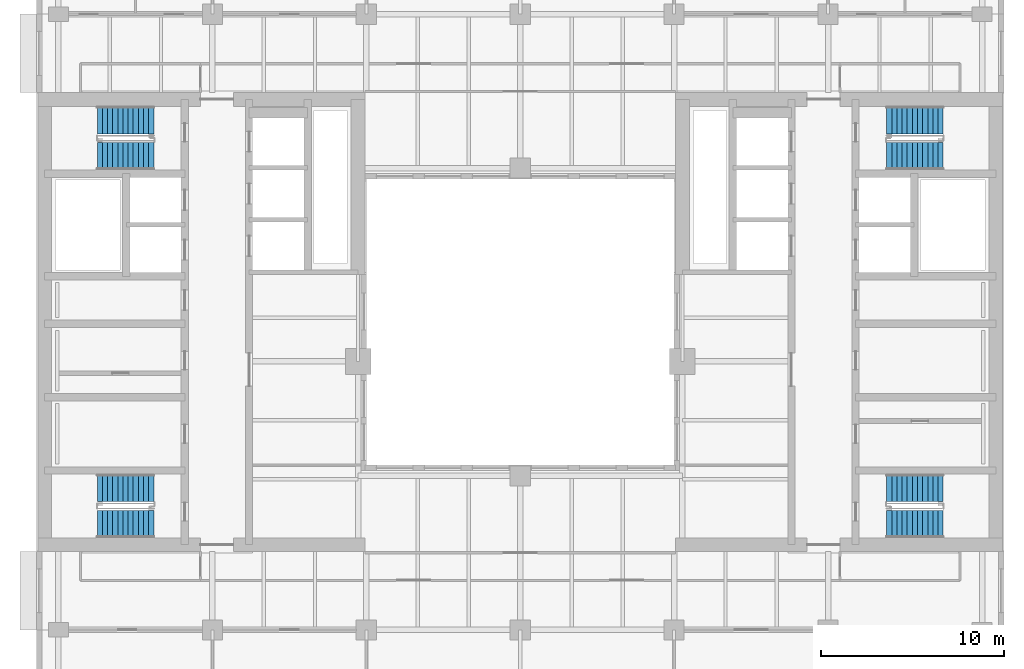
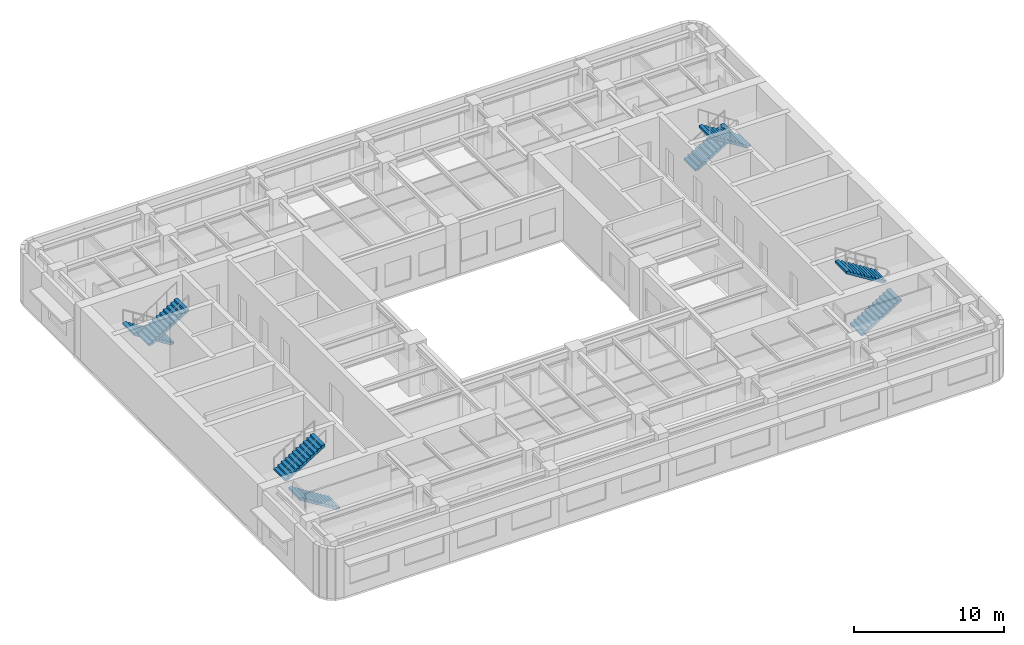
# One storey, part 8 of 11: 8 stair flights, 4 elements without a shape of their own.
"""IFC4 building model written with IfcOpenShell, lengths in metres."""

from ifc_helpers import new_model, si_unit, direction, frame, origin, place, context, subcontext, project, spatial, polyline, outline, extrude, material, type_object, element, aggregate, save


model = new_model("IFC4")

# Units and contexts
model_context = context("Model", 3, precision=1e-05, world=origin(), true_north=direction((0.0, 1.0)))
body_context = subcontext(model_context, "Body", "Model", "MODEL_VIEW")
ifc_project = project(units=[si_unit("LENGTHUNIT", "METRE"), si_unit("AREAUNIT", "SQUARE_METRE"), si_unit("VOLUMEUNIT", "CUBIC_METRE"), si_unit("PLANEANGLEUNIT", "RADIAN"), si_unit("MASSUNIT", "GRAM", prefix="KILO")], contexts=[model_context])

# Site, building, storey
site_placement = place(None, origin())
site = spatial("IfcSite", under=ifc_project, at=site_placement, CompositionType="ELEMENT")
building_placement = place(site_placement, origin())
building = spatial("IfcBuilding", under=site, at=building_placement, Name="Claustro Exchange Tower", CompositionType="ELEMENT")
storey_placement = place(building_placement, frame((0.0, 0.0, 181.800048828125)))
storey = spatial("IfcBuildingStorey", under=building, at=storey_placement, Name="L41", CompositionType="ELEMENT", Elevation=181.800048828125)

# Stair, stair flights
ifc_material_1 = material(Name="Concrete HA-30 (C30/37), precast", Category="concrete")
stair_type = type_object("IfcStairType", Name="ST1 half-turn stair, 24 risers of 175", PredefinedType="HALF_TURN_STAIR", material=ifc_material_1)
stair_1_placement = place(storey_placement, origin())
stair_1 = element("IfcStair", 1, at=stair_1_placement, inside=storey, type_object=stair_type, Name="Stair STWA L41", PredefinedType="HALF_TURN_STAIR")
ifc_material_2 = material(Name="Concrete HA-30 (C30/37), precast", Category="concrete")
stair_flight_type = type_object("IfcStairFlightType", Name="SF12A straight flight, 12 risers of 175, 1500 wide", PredefinedType="STRAIGHT", material=ifc_material_2)
stair_flight_1_placement = place(storey_placement, frame((5.199951171875, 14.175048828125, 0.0), z_axis=(0.0, 0.0, 1.0), x_axis=(-1.0, 0.0, 0.0)))
stair_flight_1 = element("IfcStairFlight", 2, at=stair_flight_1_placement, type_object=stair_flight_type, Name="STWA flight 1", NumberOfRisers=12, NumberOfTreads=11, PredefinedType="STRAIGHT", RiserHeight=0.175, TreadLength=0.28, context=body_context, shape_type="SweptSolid", body=[
    extrude(outline(polyline([(0.0, 0.0), (0.0, 0.175048828125), (0.280029296875, 0.175048828125), (0.280029296875, 0.35009765625), (0.56005859375, 0.35009765625), (0.56005859375, 0.52490234375), (0.840087890625, 0.52490234375), (0.840087890625, 0.699951171875), (1.1201171875, 0.699951171875), (1.1201171875, 0.875), (1.39990234375, 0.875), (1.39990234375, 1.050048828125), (1.679931640625, 1.050048828125), (1.679931640625, 1.22509765625), (1.9599609375, 1.22509765625), (1.9599609375, 1.39990234375), (2.239990234375, 1.39990234375), (2.239990234375, 1.574951171875), (2.52001953125, 1.574951171875), (2.52001953125, 1.75), (2.800048828125, 1.75), (2.800048828125, 1.925048828125), (3.080078125, 1.925048828125), (3.080078125, 2.10009765625), (3.080078125, 1.748291015625), (0.28271484375, 0.0), (0.0, 0.0)])), frame((0.0, 0.75, 0.0), z_axis=(0.0, -1.0, 0.0), x_axis=(1.0, 0.0, 0.0)), (0.0, 0.0, 1.0), 1.5),
])
stair_flight_2_placement = place(storey_placement, frame((2.1201171875, 16.14990234375, 2.099853515625), z_axis=(0.0, 0.0, 1.0), x_axis=(1.0, 0.0, 0.0)))
stair_flight_2 = element("IfcStairFlight", 3, at=stair_flight_2_placement, type_object=stair_flight_type, Name="STWA flight 2", NumberOfRisers=12, NumberOfTreads=11, PredefinedType="STRAIGHT", RiserHeight=0.175, TreadLength=0.28, context=body_context, shape_type="SweptSolid", body=[
    extrude(outline(polyline([(0.0, 0.0), (0.0, 0.175048828125), (0.280029296875, 0.175048828125), (0.280029296875, 0.35009765625), (0.56005859375, 0.35009765625), (0.56005859375, 0.52490234375), (0.840087890625, 0.52490234375), (0.840087890625, 0.699951171875), (1.1201171875, 0.699951171875), (1.1201171875, 0.875), (1.39990234375, 0.875), (1.39990234375, 1.050048828125), (1.679931640625, 1.050048828125), (1.679931640625, 1.22509765625), (1.9599609375, 1.22509765625), (1.9599609375, 1.39990234375), (2.239990234375, 1.39990234375), (2.239990234375, 1.574951171875), (2.52001953125, 1.574951171875), (2.52001953125, 1.75), (2.800048828125, 1.75), (2.800048828125, 1.925048828125), (3.080078125, 1.925048828125), (3.080078125, 2.10009765625), (3.080078125, 1.748291015625), (0.28271484375, 0.0), (0.0, 0.0)])), frame((0.0, 0.75, 0.0), z_axis=(0.0, -1.0, 0.0), x_axis=(1.0, 0.0, 0.0)), (0.0, 0.0, 1.0), 1.5),
])
aggregate(stair_1, [stair_flight_1, stair_flight_2])

stair_2_placement = place(storey_placement, origin())
stair_2 = element("IfcStair", 4, at=stair_2_placement, inside=storey, type_object=stair_type, Name="Stair STWB L41", PredefinedType="HALF_TURN_STAIR")
stair_flight_3_placement = place(storey_placement, frame((5.199951171875, 36.22509765625, 0.0), z_axis=(0.0, 0.0, 1.0), x_axis=(-1.0, 0.0, 0.0)))
stair_flight_3 = element("IfcStairFlight", 5, at=stair_flight_3_placement, type_object=stair_flight_type, Name="STWB flight 1", NumberOfRisers=12, NumberOfTreads=11, PredefinedType="STRAIGHT", RiserHeight=0.175, TreadLength=0.28, context=body_context, shape_type="SweptSolid", body=[
    extrude(outline(polyline([(0.0, 0.0), (0.0, 0.175048828125), (0.280029296875, 0.175048828125), (0.280029296875, 0.35009765625), (0.56005859375, 0.35009765625), (0.56005859375, 0.52490234375), (0.840087890625, 0.52490234375), (0.840087890625, 0.699951171875), (1.1201171875, 0.699951171875), (1.1201171875, 0.875), (1.39990234375, 0.875), (1.39990234375, 1.050048828125), (1.679931640625, 1.050048828125), (1.679931640625, 1.22509765625), (1.9599609375, 1.22509765625), (1.9599609375, 1.39990234375), (2.239990234375, 1.39990234375), (2.239990234375, 1.574951171875), (2.52001953125, 1.574951171875), (2.52001953125, 1.75), (2.800048828125, 1.75), (2.800048828125, 1.925048828125), (3.080078125, 1.925048828125), (3.080078125, 2.10009765625), (3.080078125, 1.748291015625), (0.28271484375, 0.0), (0.0, 0.0)])), frame((0.0, 0.75, 0.0), z_axis=(0.0, -1.0, 0.0), x_axis=(1.0, 0.0, 0.0)), (0.0, 0.0, 1.0), 1.5),
])
stair_flight_4_placement = place(storey_placement, frame((2.1201171875, 34.25, 2.099853515625), z_axis=(0.0, 0.0, 1.0), x_axis=(1.0, 0.0, 0.0)))
stair_flight_4 = element("IfcStairFlight", 6, at=stair_flight_4_placement, type_object=stair_flight_type, Name="STWB flight 2", NumberOfRisers=12, NumberOfTreads=11, PredefinedType="STRAIGHT", RiserHeight=0.175, TreadLength=0.28, context=body_context, shape_type="SweptSolid", body=[
    extrude(outline(polyline([(0.0, 0.0), (0.0, 0.175048828125), (0.280029296875, 0.175048828125), (0.280029296875, 0.35009765625), (0.56005859375, 0.35009765625), (0.56005859375, 0.52490234375), (0.840087890625, 0.52490234375), (0.840087890625, 0.699951171875), (1.1201171875, 0.699951171875), (1.1201171875, 0.875), (1.39990234375, 0.875), (1.39990234375, 1.050048828125), (1.679931640625, 1.050048828125), (1.679931640625, 1.22509765625), (1.9599609375, 1.22509765625), (1.9599609375, 1.39990234375), (2.239990234375, 1.39990234375), (2.239990234375, 1.574951171875), (2.52001953125, 1.574951171875), (2.52001953125, 1.75), (2.800048828125, 1.75), (2.800048828125, 1.925048828125), (3.080078125, 1.925048828125), (3.080078125, 2.10009765625), (3.080078125, 1.748291015625), (0.28271484375, 0.0), (0.0, 0.0)])), frame((0.0, 0.75, 0.0), z_axis=(0.0, -1.0, 0.0), x_axis=(1.0, 0.0, 0.0)), (0.0, 0.0, 1.0), 1.5),
])
aggregate(stair_2, [stair_flight_3, stair_flight_4])

stair_3_placement = place(storey_placement, origin())
stair_3 = element("IfcStair", 7, at=stair_3_placement, inside=storey, type_object=stair_type, Name="Stair STEA L41", PredefinedType="HALF_TURN_STAIR")
stair_flight_5_placement = place(storey_placement, frame((45.199951171875, 14.175048828125, 0.0), z_axis=(0.0, 0.0, 1.0), x_axis=(1.0, 0.0, 0.0)))
stair_flight_5 = element("IfcStairFlight", 8, at=stair_flight_5_placement, type_object=stair_flight_type, Name="STEA flight 1", NumberOfRisers=12, NumberOfTreads=11, PredefinedType="STRAIGHT", RiserHeight=0.175, TreadLength=0.28, context=body_context, shape_type="SweptSolid", body=[
    extrude(outline(polyline([(0.0, 0.0), (0.0, 0.175048828125), (0.280029296875, 0.175048828125), (0.280029296875, 0.35009765625), (0.56005859375, 0.35009765625), (0.56005859375, 0.52490234375), (0.840087890625, 0.52490234375), (0.840087890625, 0.699951171875), (1.1201171875, 0.699951171875), (1.1201171875, 0.875), (1.39990234375, 0.875), (1.39990234375, 1.050048828125), (1.679931640625, 1.050048828125), (1.679931640625, 1.22509765625), (1.9599609375, 1.22509765625), (1.9599609375, 1.39990234375), (2.239990234375, 1.39990234375), (2.239990234375, 1.574951171875), (2.52001953125, 1.574951171875), (2.52001953125, 1.75), (2.800048828125, 1.75), (2.800048828125, 1.925048828125), (3.080078125, 1.925048828125), (3.080078125, 2.10009765625), (3.080078125, 1.748291015625), (0.28271484375, 0.0), (0.0, 0.0)])), frame((0.0, 0.75, 0.0), z_axis=(0.0, -1.0, 0.0), x_axis=(1.0, 0.0, 0.0)), (0.0, 0.0, 1.0), 1.5),
])
stair_flight_6_placement = place(storey_placement, frame((48.280029296875, 16.14990234375, 2.099853515625), z_axis=(0.0, 0.0, 1.0), x_axis=(-1.0, 0.0, 0.0)))
stair_flight_6 = element("IfcStairFlight", 9, at=stair_flight_6_placement, type_object=stair_flight_type, Name="STEA flight 2", NumberOfRisers=12, NumberOfTreads=11, PredefinedType="STRAIGHT", RiserHeight=0.175, TreadLength=0.28, context=body_context, shape_type="SweptSolid", body=[
    extrude(outline(polyline([(0.0, 0.0), (0.0, 0.175048828125), (0.280029296875, 0.175048828125), (0.280029296875, 0.35009765625), (0.56005859375, 0.35009765625), (0.56005859375, 0.52490234375), (0.840087890625, 0.52490234375), (0.840087890625, 0.699951171875), (1.1201171875, 0.699951171875), (1.1201171875, 0.875), (1.39990234375, 0.875), (1.39990234375, 1.050048828125), (1.679931640625, 1.050048828125), (1.679931640625, 1.22509765625), (1.9599609375, 1.22509765625), (1.9599609375, 1.39990234375), (2.239990234375, 1.39990234375), (2.239990234375, 1.574951171875), (2.52001953125, 1.574951171875), (2.52001953125, 1.75), (2.800048828125, 1.75), (2.800048828125, 1.925048828125), (3.080078125, 1.925048828125), (3.080078125, 2.10009765625), (3.080078125, 1.748291015625), (0.28271484375, 0.0), (0.0, 0.0)])), frame((0.0, 0.75, 0.0), z_axis=(0.0, -1.0, 0.0), x_axis=(1.0, 0.0, 0.0)), (0.0, 0.0, 1.0), 1.5),
])
aggregate(stair_3, [stair_flight_5, stair_flight_6])

stair_4_placement = place(storey_placement, origin())
stair_4 = element("IfcStair", 10, at=stair_4_placement, inside=storey, type_object=stair_type, Name="Stair STEB L41", PredefinedType="HALF_TURN_STAIR")
stair_flight_7_placement = place(storey_placement, frame((45.199951171875, 36.22509765625, 0.0), z_axis=(0.0, 0.0, 1.0), x_axis=(1.0, 0.0, 0.0)))
stair_flight_7 = element("IfcStairFlight", 11, at=stair_flight_7_placement, type_object=stair_flight_type, Name="STEB flight 1", NumberOfRisers=12, NumberOfTreads=11, PredefinedType="STRAIGHT", RiserHeight=0.175, TreadLength=0.28, context=body_context, shape_type="SweptSolid", body=[
    extrude(outline(polyline([(0.0, 0.0), (0.0, 0.175048828125), (0.280029296875, 0.175048828125), (0.280029296875, 0.35009765625), (0.56005859375, 0.35009765625), (0.56005859375, 0.52490234375), (0.840087890625, 0.52490234375), (0.840087890625, 0.699951171875), (1.1201171875, 0.699951171875), (1.1201171875, 0.875), (1.39990234375, 0.875), (1.39990234375, 1.050048828125), (1.679931640625, 1.050048828125), (1.679931640625, 1.22509765625), (1.9599609375, 1.22509765625), (1.9599609375, 1.39990234375), (2.239990234375, 1.39990234375), (2.239990234375, 1.574951171875), (2.52001953125, 1.574951171875), (2.52001953125, 1.75), (2.800048828125, 1.75), (2.800048828125, 1.925048828125), (3.080078125, 1.925048828125), (3.080078125, 2.10009765625), (3.080078125, 1.748291015625), (0.28271484375, 0.0), (0.0, 0.0)])), frame((0.0, 0.75, 0.0), z_axis=(0.0, -1.0, 0.0), x_axis=(1.0, 0.0, 0.0)), (0.0, 0.0, 1.0), 1.5),
])
stair_flight_8_placement = place(storey_placement, frame((48.280029296875, 34.25, 2.099853515625), z_axis=(0.0, 0.0, 1.0), x_axis=(-1.0, 0.0, 0.0)))
stair_flight_8 = element("IfcStairFlight", 12, at=stair_flight_8_placement, type_object=stair_flight_type, Name="STEB flight 2", NumberOfRisers=12, NumberOfTreads=11, PredefinedType="STRAIGHT", RiserHeight=0.175, TreadLength=0.28, context=body_context, shape_type="SweptSolid", body=[
    extrude(outline(polyline([(0.0, 0.0), (0.0, 0.175048828125), (0.280029296875, 0.175048828125), (0.280029296875, 0.35009765625), (0.56005859375, 0.35009765625), (0.56005859375, 0.52490234375), (0.840087890625, 0.52490234375), (0.840087890625, 0.699951171875), (1.1201171875, 0.699951171875), (1.1201171875, 0.875), (1.39990234375, 0.875), (1.39990234375, 1.050048828125), (1.679931640625, 1.050048828125), (1.679931640625, 1.22509765625), (1.9599609375, 1.22509765625), (1.9599609375, 1.39990234375), (2.239990234375, 1.39990234375), (2.239990234375, 1.574951171875), (2.52001953125, 1.574951171875), (2.52001953125, 1.75), (2.800048828125, 1.75), (2.800048828125, 1.925048828125), (3.080078125, 1.925048828125), (3.080078125, 2.10009765625), (3.080078125, 1.748291015625), (0.28271484375, 0.0), (0.0, 0.0)])), frame((0.0, 0.75, 0.0), z_axis=(0.0, -1.0, 0.0), x_axis=(1.0, 0.0, 0.0)), (0.0, 0.0, 1.0), 1.5),
])
aggregate(stair_4, [stair_flight_7, stair_flight_8])

save(model, "model.ifc")
